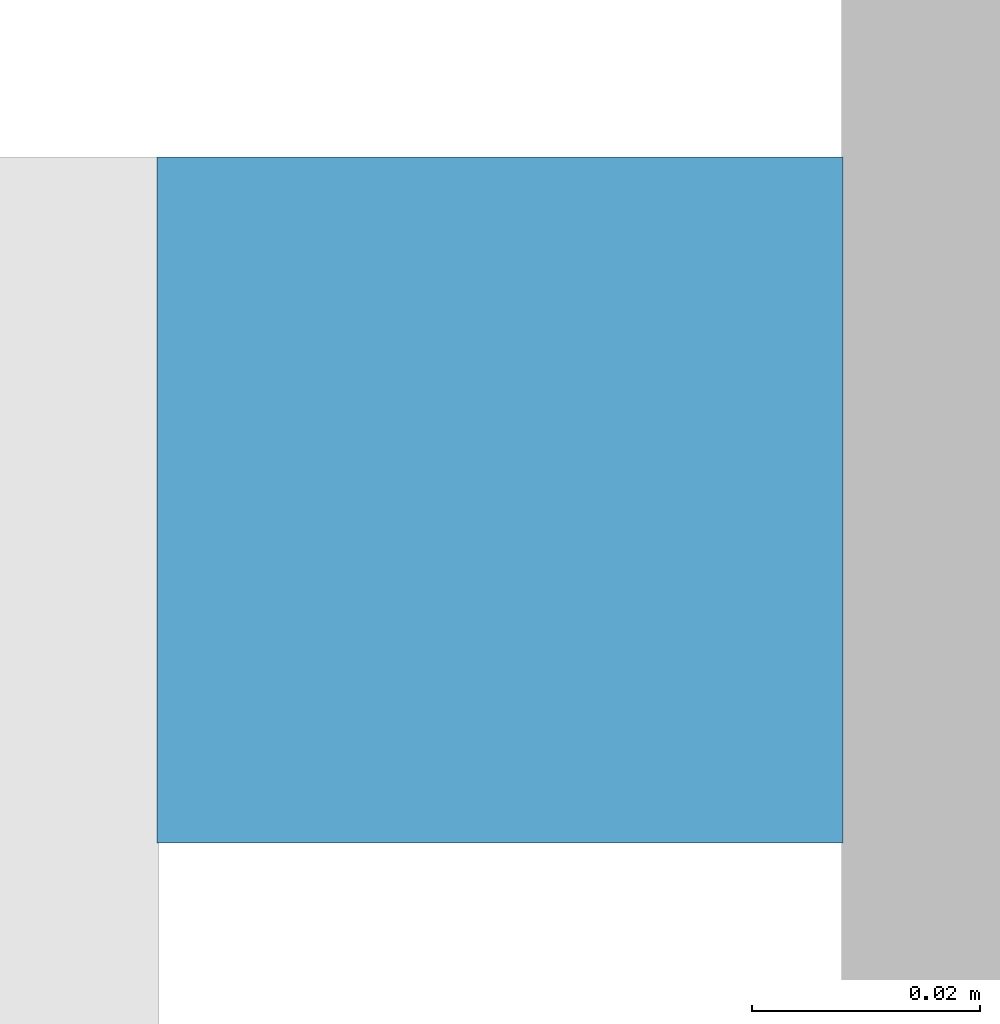
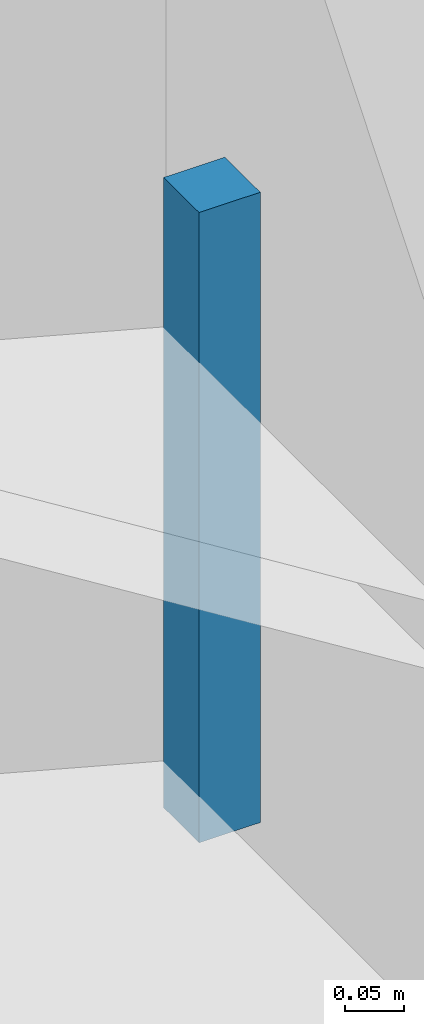
# One storey, part 35 of 47: 1 discrete accessory.
"""IFC4 building model written with IfcOpenShell, lengths in metres."""

from ifc_helpers import new_model, si_unit, direction, frame, origin, origin_2d, place, context, subcontext, project, spatial, rectangle, extrude, material, type_object, element, save


model = new_model("IFC4")

# Units and contexts
model_context = context("Model", 3, precision=1e-05, world=origin(), true_north=direction((0.0, 1.0)))
body_context = subcontext(model_context, "Body", "Model", "MODEL_VIEW")
ifc_project = project(units=[si_unit("LENGTHUNIT", "METRE"), si_unit("AREAUNIT", "SQUARE_METRE"), si_unit("VOLUMEUNIT", "CUBIC_METRE"), si_unit("PLANEANGLEUNIT", "RADIAN"), si_unit("MASSUNIT", "GRAM", prefix="KILO")], contexts=[model_context])

# Site, building, storey
site_placement = place(None, origin())
site = spatial("IfcSite", under=ifc_project, at=site_placement, CompositionType="ELEMENT")
building_placement = place(site_placement, origin())
building = spatial("IfcBuilding", under=site, at=building_placement, Name="Nakaniwa Court", CompositionType="ELEMENT")
storey_placement = place(building_placement, frame((0.0, 0.0, 15.60009765625)))
storey = spatial("IfcBuildingStorey", under=building, at=storey_placement, Name="L03", CompositionType="ELEMENT", Elevation=15.60009765625)

# Discrete accessory
ifc_material = material(Name="Black powder-coated steel bracket S275", Category="steel")
discrete_accessory_type = type_object("IfcDiscreteAccessoryType", Name="Hall black metal louvre bracket", PredefinedType="BRACKET", material=ifc_material)
discrete_accessory_placement = place(storey_placement, frame((151.969970703125, 91.570068359375, 2.89794921875), z_axis=(0.0, 0.0, 1.0), x_axis=(0.0, 1.0, 0.0)))
element("IfcDiscreteAccessory", 1, at=discrete_accessory_placement, inside=storey, type_object=discrete_accessory_type, Name="Louvre bracket L03 006.2", PredefinedType="BRACKET", context=body_context, shape_type="SweptSolid", body=[
    extrude(rectangle(XDim=0.06005859375, YDim=0.06005859375, at=origin_2d()), origin(), (0.0, 0.0, 1.0), 0.653564453125),
])

save(model, "model.ifc")
